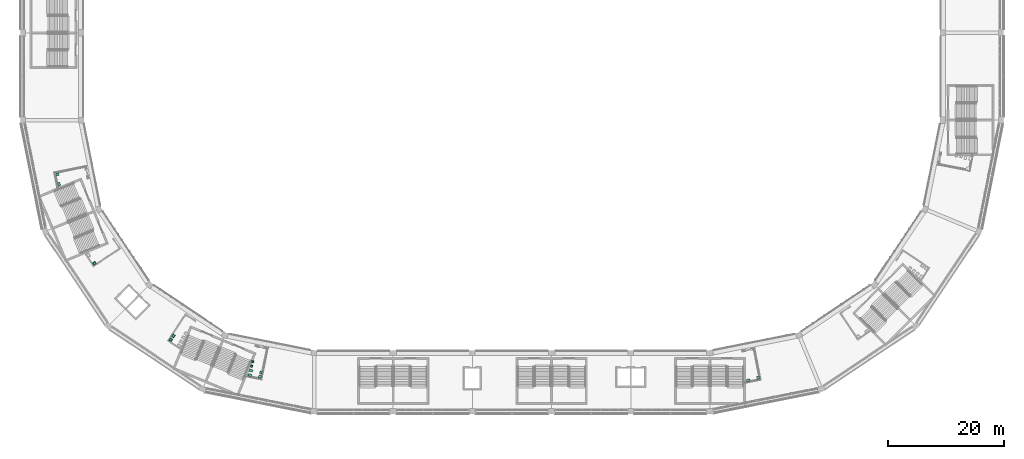
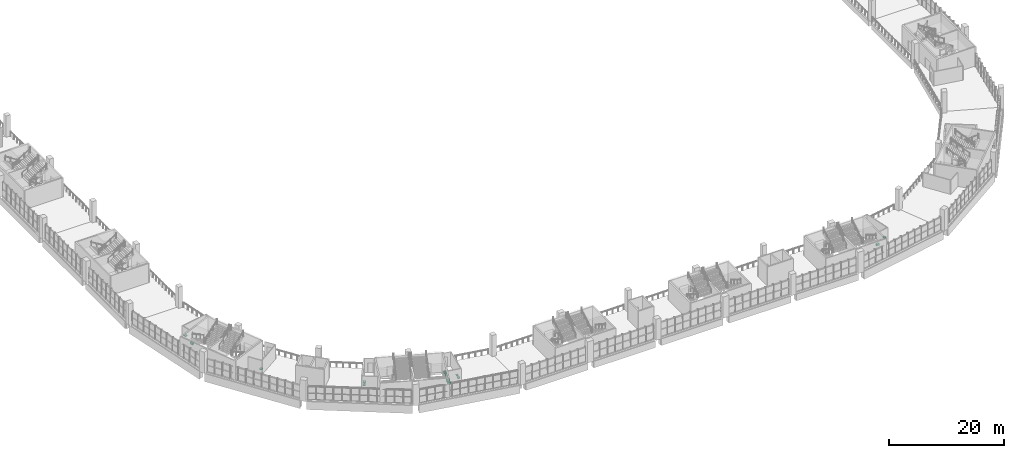
# One storey, part 174 of 177: 13 sanitary terminals.
"""IFC4 building model written with IfcOpenShell, lengths in metres."""

from ifc_helpers import new_model, si_unit, direction, frame, origin, origin_2d, place, context, subcontext, project, spatial, rectangle, extrude, material, type_object, element, save


model = new_model("IFC4")

# Units and contexts
model_context = context("Model", 3, precision=1e-05, world=origin(), true_north=direction((0.0, 1.0)))
body_context = subcontext(model_context, "Body", "Model", "MODEL_VIEW")
ifc_project = project(units=[si_unit("LENGTHUNIT", "METRE"), si_unit("AREAUNIT", "SQUARE_METRE"), si_unit("VOLUMEUNIT", "CUBIC_METRE"), si_unit("PLANEANGLEUNIT", "RADIAN"), si_unit("MASSUNIT", "GRAM", prefix="KILO")], contexts=[model_context])

# Site, building, storey
site_placement = place(None, origin())
site = spatial("IfcSite", under=ifc_project, at=site_placement, CompositionType="ELEMENT")
building_placement = place(site_placement, origin())
building = spatial("IfcBuilding", under=site, at=building_placement, Name="Ogive Plaza Stadium", CompositionType="ELEMENT")
storey_placement = place(building_placement, frame((0.0, 0.0, 18.0)))
storey = spatial("IfcBuildingStorey", under=building, at=storey_placement, Name="L04", CompositionType="ELEMENT", Elevation=18.0)

# Sanitary terminals
ifc_material_1 = material(Name="Vitreous china", Category="ceramic")
sanitary_terminal_type_1 = type_object("IfcSanitaryTerminalType", Name="Drinking fountain", PredefinedType="SANITARYFOUNTAIN", material=ifc_material_1)
sanitary_terminal_placement = place(storey_placement, frame((-43.109619140625, -95.815673828125, 0.7998046875), z_axis=(0.0, 0.0, 1.0), x_axis=(0.201383944288, 0.979512382251, 0.0)))
element("IfcSanitaryTerminal", 1, at=sanitary_terminal_placement, inside=storey, type_object=sanitary_terminal_type_1, Name="Drinking fountain L04-005", PredefinedType="SANITARYFOUNTAIN", context=body_context, shape_type="SweptSolid", body=[
    extrude(rectangle(XDim=0.449951171875, YDim=0.39990234375, at=origin_2d()), origin(), (0.0, 0.0, 1.0), 0.199951171875),
])
ifc_material_2 = material(Name="Vitreous china", Category="ceramic")
sanitary_terminal_type_2 = type_object("IfcSanitaryTerminalType", Name="Lavatory", PredefinedType="WASHHANDBASIN", material=ifc_material_2)
for number, where, z_axis, x_axis, name in (
    (2, (-43.290283203125, -96.569580078125, 0.7998046875), (0.0, 0.0, 1.0), (0.201383944288, 0.979512382251, 0.0), "Lavatory L04-005"),
    (3, (-58.5927734375, -90.231201171875, 0.7998046875), (0.0, 0.0, 1.0), (0.550219895118, 0.835019800374, 0.0), "Lavatory L04-006"),
    (4, (-58.152587890625, -89.563232421875, 0.7998046875), (0.0, 0.0, 1.0), (0.550219895118, 0.835019800374, 0.0), "Lavatory L04-006"),
    (5, (42.28173828125, -96.770263671875, 0.7998046875), (0.0, 0.0, 1.0), (-0.18878865618, 0.982017740826, 0.0), "Lavatory L04-004"),
    (6, (-71.731201171875, -77.0927734375, 0.7998046875), (0.0, 0.0, 1.0), (0.835019800374, 0.550219895118, 0.0), "Lavatory L04-007"),
    (7, (-78.069580078125, -61.790283203125, 0.7998046875), (0.0, 0.0, 1.0), (0.979512382251, 0.201383944288, 0.0), "Lavatory L04-008"),
):
    element("IfcSanitaryTerminal", number, at=place(storey_placement, frame(where, z_axis=z_axis, x_axis=x_axis)), inside=storey, type_object=sanitary_terminal_type_2, Name=name, PredefinedType="WASHHANDBASIN", context=body_context, shape_type="SweptSolid", body=[
        extrude(rectangle(XDim=0.5, YDim=0.449951171875, at=origin_2d()), origin(), (0.0, 0.0, 1.0), 0.199951171875),
    ])
ifc_material_3 = material(Name="Vitreous china", Category="ceramic")
sanitary_terminal_type_3 = type_object("IfcSanitaryTerminalType", Name="Urinal", PredefinedType="URINAL", material=ifc_material_3)
for number, where, z_axis, x_axis, name in (
    (8, (-44.739013671875, -94.7412109375, 0.599853515625), (0.0, 0.0, 1.0), (0.250283687841, 0.968172544333, 0.0), "Urinal L04-005"),
    (9, (-44.538818359375, -93.966552734375, 0.599853515625), (0.0, 0.0, 1.0), (0.250283687841, 0.968172544333, 0.0), "Urinal L04-005"),
):
    element("IfcSanitaryTerminal", number, at=place(storey_placement, frame(where, z_axis=z_axis, x_axis=x_axis)), inside=storey, type_object=sanitary_terminal_type_3, Name=name, PredefinedType="URINAL", context=body_context, shape_type="SweptSolid", body=[
        extrude(rectangle(XDim=0.35009765625, YDim=0.35009765625, at=origin_2d()), origin(), (0.0, 0.0, 1.0), 0.60009765625),
    ])
ifc_material_4 = material(Name="Vitreous china", Category="ceramic")
sanitary_terminal_type_4 = type_object("IfcSanitaryTerminalType", Name="Water closet", PredefinedType="TOILETPAN", material=ifc_material_4)
for number, where, z_axis, x_axis, name in (
    (10, (-45.01220703125, -96.29736328125, 0.0), (0.0, 0.0, 1.0), (0.250283687841, 0.968172544333, 0.0), "Water closet L04-005"),
    (11, (-44.81201171875, -95.522705078125, 0.0), (0.0, 0.0, 1.0), (0.250283687841, 0.968172544333, 0.0), "Water closet L04-005"),
    (12, (40.58642578125, -97.177734375, 0.0), (0.0, 0.0, 1.0), (-0.139271615869, 0.990254218377, 0.0), "Water closet L04-004"),
    (13, (-77.79736328125, -63.51220703125, 0.0), (0.0, 0.0, 1.0), (0.968172544333, 0.250283687841, 0.0), "Water closet L04-008"),
):
    element("IfcSanitaryTerminal", number, at=place(storey_placement, frame(where, z_axis=z_axis, x_axis=x_axis)), inside=storey, type_object=sanitary_terminal_type_4, Name=name, PredefinedType="TOILETPAN", context=body_context, shape_type="SweptSolid", body=[
        extrude(rectangle(XDim=0.39990234375, YDim=0.60009765625, at=origin_2d()), origin(), (0.0, 0.0, 1.0), 0.39990234375),
    ])

save(model, "model.ifc")
